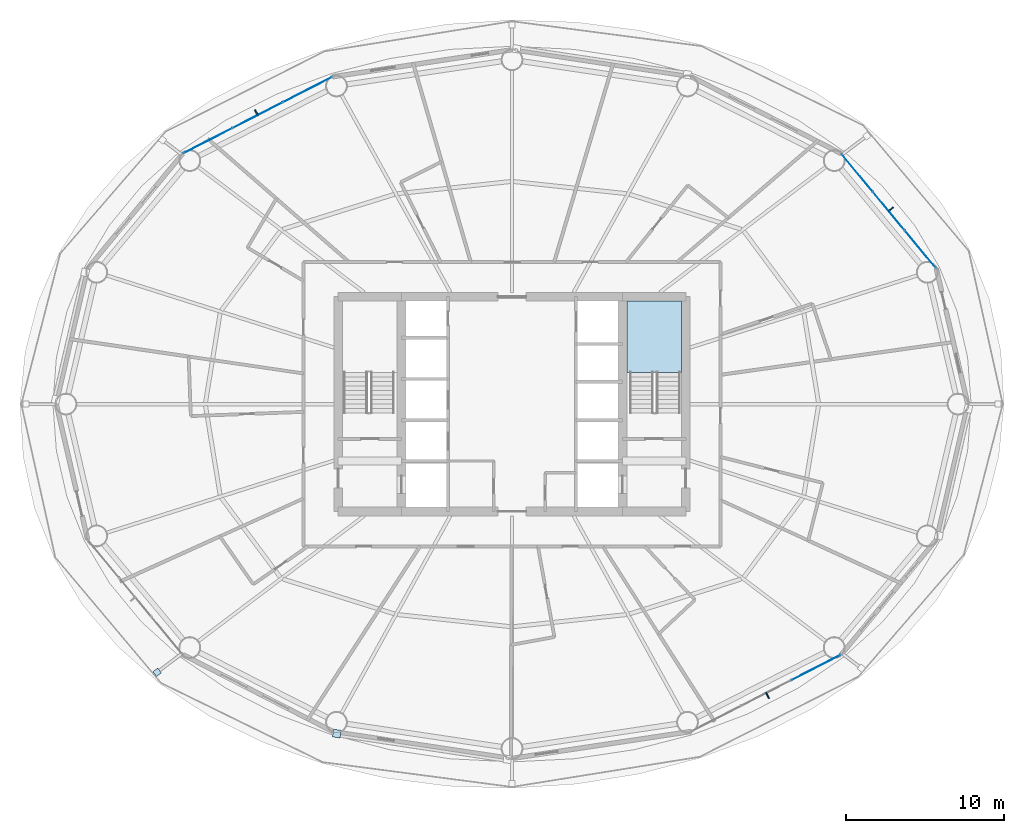
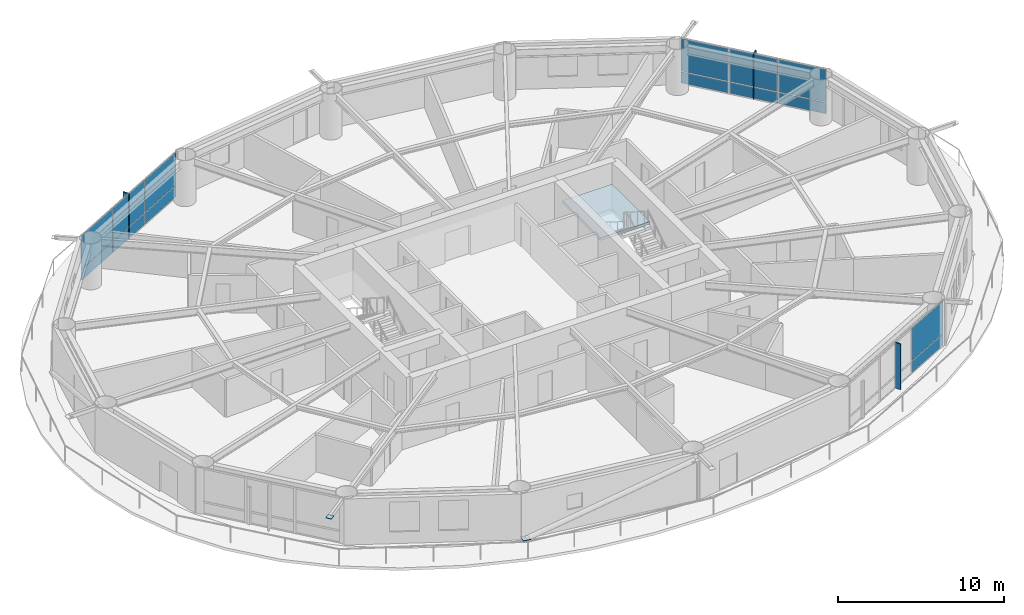
# One storey, part 16 of 24: 19 plates, 1 slab, 4 elements without a shape of their own.
"""IFC4 building model written with IfcOpenShell, lengths in metres."""

from ifc_helpers import new_model, si_unit, direction, frame, origin, origin_2d, place, context, subcontext, project, spatial, polyline, rectangle, outline, extrude, material, layer, layer_set, type_object, element, aggregate, save


model = new_model("IFC4")

# Units and contexts
model_context = context("Model", 3, precision=1e-05, world=origin(), true_north=direction((0.0, 1.0)))
body_context = subcontext(model_context, "Body", "Model", "MODEL_VIEW")
ifc_project = project(units=[si_unit("LENGTHUNIT", "METRE"), si_unit("AREAUNIT", "SQUARE_METRE"), si_unit("VOLUMEUNIT", "CUBIC_METRE"), si_unit("PLANEANGLEUNIT", "RADIAN"), si_unit("MASSUNIT", "GRAM", prefix="KILO")], contexts=[model_context])

# Site, building, storey
site_placement = place(None, origin())
site = spatial("IfcSite", under=ifc_project, at=site_placement, CompositionType="ELEMENT")
building_placement = place(site_placement, origin())
building = spatial("IfcBuilding", under=site, at=building_placement, Name="Sarneth Arch Tower", CompositionType="ELEMENT")
storey_placement = place(building_placement, frame((0.0, 0.0, 120.0)))
storey = spatial("IfcBuildingStorey", under=building, at=storey_placement, Name="L30", CompositionType="ELEMENT", Elevation=120.0)

# Curtain wall, plates
ifc_material_1 = material(Name="Anodised aluminium Type AA25 and solar-control low-e laminated IGU", Category="aluminium")
ifc_layer_1 = layer(ifc_material_1, 0.159912109375)
ifc_layer_set_1 = layer_set([ifc_layer_1], Name="Anodised aluminium Type AA25 and solar-control low-e laminated IGU")
curtain_wall_type = type_object("IfcCurtainWallType", Name="CW-HOTEL-MID", PredefinedType="NOTDEFINED", material=ifc_layer_set_1)
curtain_wall_1_placement = place(storey_placement, origin())
curtain_wall_1 = element("IfcCurtainWall", 1, at=curtain_wall_1_placement, inside=storey, type_object=curtain_wall_type, Name="L30 Unitised curtain wall facet 02", PredefinedType="NOTDEFINED")
ifc_material_2 = material(Name="Solar-control low-e laminated IGU", Category="glass")
ifc_layer_2 = layer(ifc_material_2, 0.028076171875)
ifc_layer_set_2 = layer_set([ifc_layer_2], Name="Solar-control low-e laminated IGU")
plate_type_1 = type_object("IfcPlateType", Name="CW-PANEL", PredefinedType="CURTAIN_PANEL", material=ifc_layer_set_2)
plate_1_placement = place(storey_placement, frame((73.84814453125, 51.807861328125, 0.06005859375), z_axis=(0.0, 0.0, 1.0), x_axis=(-0.637515188684, 0.770437787363, 0.0)))
plate_1 = element("IfcPlate", 2, at=plate_1_placement, type_object=plate_type_1, Name="Curtain wall glazed vision pane CW-L30-F02/P00-00", PredefinedType="CURTAIN_PANEL", context=body_context, shape_type="SweptSolid", body=[
    extrude(rectangle(XDim=3.058349609375, YDim=0.028076171875, at=origin_2d()), origin(), (0.0, 0.0, 1.0), 0.81005859375),
])
plate_2_placement = place(storey_placement, frame((73.84814453125, 51.807861328125, 0.93017578125), z_axis=(0.0, 0.0, 1.0), x_axis=(-0.637515188684, 0.770437787363, 0.0)))
plate_2 = element("IfcPlate", 3, at=plate_2_placement, type_object=plate_type_1, Name="Curtain wall glazed vision pane CW-L30-F02/P00-01", PredefinedType="CURTAIN_PANEL", context=body_context, shape_type="SweptSolid", body=[
    extrude(rectangle(XDim=3.058349609375, YDim=0.028076171875, at=origin_2d()), origin(), (0.0, 0.0, 1.0), 2.389892578125),
])
plate_3_placement = place(storey_placement, frame((71.8505859375, 54.221923828125, 0.06005859375), z_axis=(0.0, 0.0, 1.0), x_axis=(-0.637515188684, 0.770437787363, 0.0)))
plate_3 = element("IfcPlate", 4, at=plate_3_placement, type_object=plate_type_1, Name="Curtain wall glazed vision pane CW-L30-F02/P01-00", PredefinedType="CURTAIN_PANEL", context=body_context, shape_type="SweptSolid", body=[
    extrude(rectangle(XDim=3.08837890625, YDim=0.028076171875, at=origin_2d()), origin(), (0.0, 0.0, 1.0), 0.81005859375),
])
plate_4_placement = place(storey_placement, frame((71.8505859375, 54.221923828125, 0.93017578125), z_axis=(0.0, 0.0, 1.0), x_axis=(-0.637515188684, 0.770437787363, 0.0)))
plate_4 = element("IfcPlate", 5, at=plate_4_placement, type_object=plate_type_1, Name="Curtain wall glazed vision pane CW-L30-F02/P01-01", PredefinedType="CURTAIN_PANEL", context=body_context, shape_type="SweptSolid", body=[
    extrude(rectangle(XDim=3.08837890625, YDim=0.028076171875, at=origin_2d()), origin(), (0.0, 0.0, 1.0), 2.389892578125),
])
plate_5_placement = place(storey_placement, frame((69.85302734375, 56.635986328125, 0.06005859375), z_axis=(0.0, 0.0, 1.0), x_axis=(-0.637515188684, 0.770437787363, 0.0)))
plate_5 = element("IfcPlate", 6, at=plate_5_placement, type_object=plate_type_1, Name="Curtain wall glazed vision pane CW-L30-F02/P02-00", PredefinedType="CURTAIN_PANEL", context=body_context, shape_type="SweptSolid", body=[
    extrude(rectangle(XDim=3.058349609375, YDim=0.028076171875, at=origin_2d()), origin(), (0.0, 0.0, 1.0), 0.81005859375),
])
plate_6_placement = place(storey_placement, frame((69.85302734375, 56.635986328125, 0.93017578125), z_axis=(0.0, 0.0, 1.0), x_axis=(-0.637515188684, 0.770437787363, 0.0)))
plate_6 = element("IfcPlate", 7, at=plate_6_placement, type_object=plate_type_1, Name="Curtain wall glazed vision pane CW-L30-F02/P02-01", PredefinedType="CURTAIN_PANEL", context=body_context, shape_type="SweptSolid", body=[
    extrude(rectangle(XDim=3.058349609375, YDim=0.028076171875, at=origin_2d()), origin(), (0.0, 0.0, 1.0), 2.389892578125),
])
aggregate(curtain_wall_1, [plate_1, plate_2, plate_3, plate_4, plate_5, plate_6])

curtain_wall_2_placement = place(storey_placement, origin())
curtain_wall_2 = element("IfcCurtainWall", 8, at=curtain_wall_2_placement, inside=storey, type_object=curtain_wall_type, Name="L30 Unitised curtain wall facet 06", PredefinedType="NOTDEFINED")
plate_7_placement = place(storey_placement, frame((35.053955078125, 61.905517578125, 0.06005859375), z_axis=(0.0, 0.0, 1.0), x_axis=(-0.889963703649, -0.456031365356, 0.0)))
plate_7 = element("IfcPlate", 9, at=plate_7_placement, type_object=plate_type_1, Name="Curtain wall glazed vision pane CW-L30-F06/P00-00", PredefinedType="CURTAIN_PANEL", context=body_context, shape_type="SweptSolid", body=[
    extrude(rectangle(XDim=3.464111328125, YDim=0.028076171875, at=origin_2d()), origin(), (0.0, 0.0, 1.0), 0.81005859375),
])
plate_8_placement = place(storey_placement, frame((35.053955078125, 61.905517578125, 0.93017578125), z_axis=(0.0, 0.0, 1.0), x_axis=(-0.889963703649, -0.456031365356, 0.0)))
plate_8 = element("IfcPlate", 10, at=plate_8_placement, type_object=plate_type_1, Name="Curtain wall glazed vision pane CW-L30-F06/P00-01", PredefinedType="CURTAIN_PANEL", context=body_context, shape_type="SweptSolid", body=[
    extrude(rectangle(XDim=3.464111328125, YDim=0.028076171875, at=origin_2d()), origin(), (0.0, 0.0, 1.0), 2.389892578125),
])
plate_9_placement = place(storey_placement, frame((31.904296875, 60.29150390625, 0.06005859375), z_axis=(0.0, 0.0, 1.0), x_axis=(-0.889963703649, -0.456031365356, 0.0)))
plate_9 = element("IfcPlate", 11, at=plate_9_placement, type_object=plate_type_1, Name="Curtain wall glazed vision pane CW-L30-F06/P01-00", PredefinedType="CURTAIN_PANEL", context=body_context, shape_type="SweptSolid", body=[
    extrude(rectangle(XDim=3.493896484375, YDim=0.028076171875, at=origin_2d()), origin(), (0.0, 0.0, 1.0), 0.81005859375),
])
plate_10_placement = place(storey_placement, frame((31.904296875, 60.29150390625, 0.93017578125), z_axis=(0.0, 0.0, 1.0), x_axis=(-0.889963703649, -0.456031365356, 0.0)))
plate_10 = element("IfcPlate", 12, at=plate_10_placement, type_object=plate_type_1, Name="Curtain wall glazed vision pane CW-L30-F06/P01-01", PredefinedType="CURTAIN_PANEL", context=body_context, shape_type="SweptSolid", body=[
    extrude(rectangle(XDim=3.493896484375, YDim=0.028076171875, at=origin_2d()), origin(), (0.0, 0.0, 1.0), 2.389892578125),
])
plate_11_placement = place(storey_placement, frame((28.7548828125, 58.677734375, 0.06005859375), z_axis=(0.0, 0.0, 1.0), x_axis=(-0.889963703649, -0.456031365356, 0.0)))
plate_11 = element("IfcPlate", 13, at=plate_11_placement, type_object=plate_type_1, Name="Curtain wall glazed vision pane CW-L30-F06/P02-00", PredefinedType="CURTAIN_PANEL", context=body_context, shape_type="SweptSolid", body=[
    extrude(rectangle(XDim=3.464111328125, YDim=0.028076171875, at=origin_2d()), origin(), (0.0, 0.0, 1.0), 0.81005859375),
])
plate_12_placement = place(storey_placement, frame((28.7548828125, 58.677734375, 0.93017578125), z_axis=(0.0, 0.0, 1.0), x_axis=(-0.889963703649, -0.456031365356, 0.0)))
plate_12 = element("IfcPlate", 14, at=plate_12_placement, type_object=plate_type_1, Name="Curtain wall glazed vision pane CW-L30-F06/P02-01", PredefinedType="CURTAIN_PANEL", context=body_context, shape_type="SweptSolid", body=[
    extrude(rectangle(XDim=3.464111328125, YDim=0.028076171875, at=origin_2d()), origin(), (0.0, 0.0, 1.0), 2.389892578125),
])
aggregate(curtain_wall_2, [plate_7, plate_8, plate_9, plate_10, plate_11, plate_12])

curtain_wall_3_placement = place(storey_placement, origin())
curtain_wall_3 = element("IfcCurtainWall", 15, at=curtain_wall_3_placement, inside=storey, type_object=curtain_wall_type, Name="L30 Unitised curtain wall facet 14", PredefinedType="NOTDEFINED")
plate_13_placement = place(storey_placement, frame((67.2451171875, 25.322265625, 0.06005859375), z_axis=(0.0, 0.0, 1.0), x_axis=(0.889963703649, 0.456031365356, 0.0)))
plate_13 = element("IfcPlate", 16, at=plate_13_placement, type_object=plate_type_1, Name="Curtain wall glazed vision pane CW-L30-F14/P02-00", PredefinedType="CURTAIN_PANEL", context=body_context, shape_type="SweptSolid", body=[
    extrude(rectangle(XDim=3.464111328125, YDim=0.028076171875, at=origin_2d()), origin(), (0.0, 0.0, 1.0), 0.81005859375),
])
plate_14_placement = place(storey_placement, frame((67.2451171875, 25.322265625, 0.93017578125), z_axis=(0.0, 0.0, 1.0), x_axis=(0.889963703649, 0.456031365356, 0.0)))
plate_14 = element("IfcPlate", 17, at=plate_14_placement, type_object=plate_type_1, Name="Curtain wall glazed vision pane CW-L30-F14/P02-01", PredefinedType="CURTAIN_PANEL", context=body_context, shape_type="SweptSolid", body=[
    extrude(rectangle(XDim=3.464111328125, YDim=0.028076171875, at=origin_2d()), origin(), (0.0, 0.0, 1.0), 2.389892578125),
])
aggregate(curtain_wall_3, [plate_13, plate_14])

# Plates
ifc_material_3 = material(Name="Steel S355", Category="steel")
ifc_layer_3 = layer(ifc_material_3, 0.035888671875)
ifc_layer_set_3 = layer_set([ifc_layer_3], Name="Steel S355")
plate_type_2 = type_object("IfcPlateType", Name="PLT-GUSSET-30", PredefinedType="SHEET", material=ifc_layer_set_3)
plate_15_placement = place(storey_placement, frame((25.53466796875, 25.0224609375, 3.2021484375), z_axis=(0.0, 0.0, 1.0), x_axis=(-0.797794439539, -0.602929541689, 0.0)))
element("IfcPlate", 18, at=plate_15_placement, inside=storey, type_object=plate_type_2, Name="Steel end cap plate GP-1", PredefinedType="SHEET", context=body_context, shape_type="SweptSolid", body=[
    extrude(rectangle(XDim=0.3798828125, YDim=0.3798828125, at=origin_2d()), origin(), (0.0, 0.0, 1.0), 0.035888671875),
])
plate_16_placement = place(storey_placement, frame((36.9072265625, 21.140380859375, 0.001953125), z_axis=(0.0, 0.0, 1.0), x_axis=(0.988860535448, -0.148845024885, 0.0)))
element("IfcPlate", 19, at=plate_16_placement, inside=storey, type_object=plate_type_2, Name="Steel end cap plate GP-1", PredefinedType="SHEET", context=body_context, shape_type="SweptSolid", body=[
    extrude(rectangle(XDim=0.486083984375, YDim=0.486083984375, at=origin_2d()), origin(), (0.0, 0.0, 1.0), 0.035888671875),
])
ifc_material_4 = material(Name="Extruded glazed terracotta baguette fin on Aluminium 6063-T6 carrier", Category="masonry")
ifc_layer_4 = layer(ifc_material_4, 0.080078125)
ifc_layer_set_4 = layer_set([ifc_layer_4], Name="Extruded glazed terracotta baguette fin on Aluminium 6063-T6 carrier")
plate_type_3 = type_object("IfcPlateType", Name="SHADE-TERRA-FIN", PredefinedType="SHEET", material=ifc_layer_set_4)
for number, where, z_axis, x_axis, name in (
    (20, (71.981689453125, 54.330322265625, 0.009765625), (0.0, 0.0, 1.0), (0.770401979567, 0.63755845997, 0.0), "L30 Terracotta vertical shading fin 02"),
    (21, (31.826904296875, 60.44287109375, 0.009765625), (0.0, 0.0, 1.0), (-0.456010959102, 0.889974159838, 0.0), "L30 Terracotta vertical shading fin 06"),
    (22, (64.173095703125, 23.55712890625, 0.009765625), (0.0, 0.0, 1.0), (0.456010959102, -0.889974159838, 0.0), "L30 Terracotta vertical shading fin 14"),
):
    element("IfcPlate", number, at=place(storey_placement, frame(where, z_axis=z_axis, x_axis=x_axis)), inside=storey, type_object=plate_type_3, Name=name, PredefinedType="SHEET", context=body_context, shape_type="SweptSolid", body=[
        extrude(rectangle(XDim=0.419921875, YDim=0.080078125, at=origin_2d()), origin(), (0.0, 0.0, 1.0), 3.360107421875),
    ])

# Stair, slab
ifc_material_5 = material(Name="Concrete C50/60", Category="concrete")
stair_type = type_object("IfcStairType", Name="STAIR-CORE-RC", PredefinedType="HALF_TURN_STAIR", material=ifc_material_5)
stair_placement = place(storey_placement, origin())
stair = element("IfcStair", 23, at=stair_placement, inside=storey, type_object=stair_type, Name="L30 Core Exit Stair 2", PredefinedType="HALF_TURN_STAIR")
ifc_material_6 = material(Name="Concrete C50/60", Category="concrete")
ifc_layer_5 = layer(ifc_material_6, 0.199951171875)
ifc_layer_set_5 = layer_set([ifc_layer_5], Name="Concrete C50/60")
slab_type = type_object("IfcSlabType", Name="SLAB-LANDING-200", PredefinedType="LANDING", material=ifc_layer_set_5)
slab_placement = place(storey_placement, frame((0.0, 0.0, 1.60009765625)))
slab = element("IfcSlab", 24, at=slab_placement, type_object=slab_type, Name="ST-2 landing 1", PredefinedType="LANDING", context=body_context, shape_type="SweptSolid", body=[
    extrude(outline(polyline([(55.27490234375, 43.985107421875), (58.72509765625, 43.985107421875), (58.72509765625, 48.52490234375), (55.27490234375, 48.52490234375), (55.27490234375, 43.985107421875)])), origin(), (0.0, 0.0, 1.0), 0.199951171875),
])
aggregate(stair, [slab])

save(model, "model.ifc")
